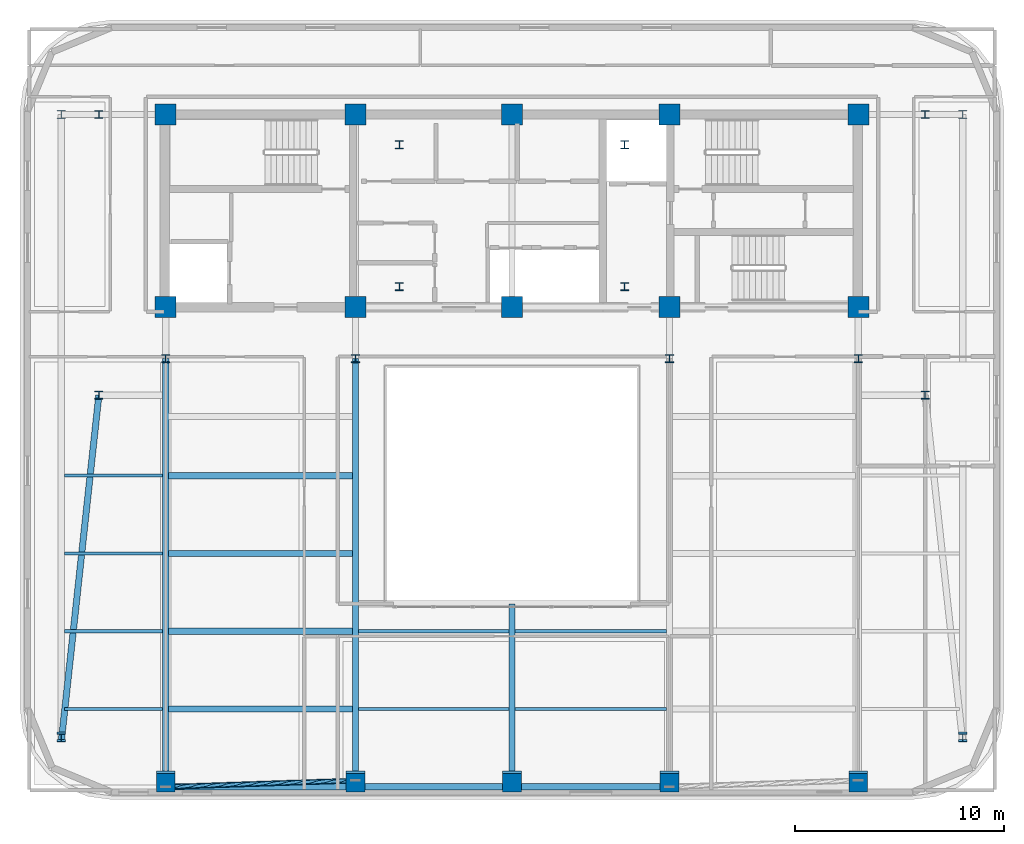
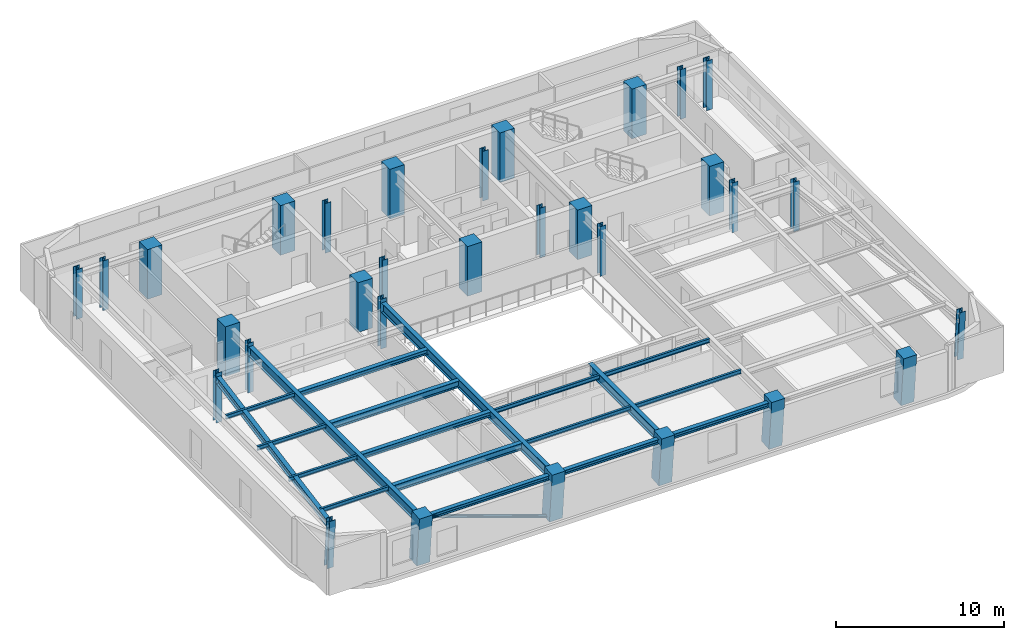
# One storey, part 1 of 13: 31 columns, 19 beams, 1 member.
"""IFC4 building model written with IfcOpenShell, lengths in metres."""

from ifc_helpers import new_model, si_unit, direction, frame, origin, origin_2d, place, context, subcontext, project, spatial, rectangle, hollow_circle, i_section, extrude, material, material_profile, profile_set, type_object, element, save


model = new_model("IFC4")

# Units and contexts
model_context = context("Model", 3, precision=1e-05, world=origin(), true_north=direction((0.0, 1.0)))
body_context = subcontext(model_context, "Body", "Model", "MODEL_VIEW")
ifc_project = project(units=[si_unit("LENGTHUNIT", "METRE"), si_unit("AREAUNIT", "SQUARE_METRE"), si_unit("VOLUMEUNIT", "CUBIC_METRE"), si_unit("PLANEANGLEUNIT", "RADIAN"), si_unit("MASSUNIT", "GRAM", prefix="KILO")], contexts=[model_context])

# Site, building, storey
site_placement = place(None, origin())
site = spatial("IfcSite", under=ifc_project, at=site_placement, CompositionType="ELEMENT")
building_placement = place(site_placement, origin())
building = spatial("IfcBuilding", under=site, at=building_placement, Name="Zarnavel Station Tower", CompositionType="ELEMENT")
storey_placement = place(building_placement, frame((0.0, 0.0, 232.800048828125)))
storey = spatial("IfcBuildingStorey", under=building, at=storey_placement, Name="L63", CompositionType="ELEMENT", Elevation=232.800048828125)

# Columns
ifc_material_1 = material(Name="Steel S355J2", Category="steel")
ifc_material_profile_1 = material_profile(ifc_material_1, i_section(OverallWidth=0.407958984375, OverallDepth=0.39990234375, WebThickness=0.02490234375, FlangeThickness=0.0390625, FilletRadius=0.014892578125, at=origin_2d()), Name="HD400x287")
ifc_profile_set_1 = profile_set([ifc_material_profile_1], Name="Steel S355J2")
column_type_1 = type_object("IfcColumnType", Name="EC_HD287", PredefinedType="COLUMN", material=ifc_profile_set_1)
column_1_placement = place(storey_placement, frame((7.199951171875, 7.265625, 0.0), z_axis=(0.0, -0.079906436036, 0.996802368316), x_axis=(1.0, 0.0, 0.0)))
element("IfcColumn", 1, at=column_1_placement, inside=storey, type_object=column_type_1, Name="L63 Raked Wing Column 1", PredefinedType="COLUMN", context=body_context, shape_type="SweptSolid", body=[
    extrude(i_section(OverallWidth=0.407958984375, OverallDepth=0.39990234375, WebThickness=0.02490234375, FlangeThickness=0.0390625, FilletRadius=0.014892578125, at=origin_2d()), origin(), (0.0, 0.0, 1.0), 3.611328125),
])
column_2_placement = place(storey_placement, frame((7.199951171875, 37.050048828125, 0.0), z_axis=(0.0, 0.0, 1.0), x_axis=(1.0, 0.0, 0.0)))
element("IfcColumn", 2, at=column_2_placement, inside=storey, type_object=column_type_1, Name="L63 Outer Wing North Column 1", PredefinedType="COLUMN", context=body_context, shape_type="SweptSolid", body=[
    extrude(i_section(OverallWidth=0.407958984375, OverallDepth=0.39990234375, WebThickness=0.02490234375, FlangeThickness=0.0390625, FilletRadius=0.014892578125, at=origin_2d()), origin(), (0.0, 0.0, 1.0), 3.599853515625),
])
column_3_placement = place(storey_placement, frame((50.39990234375, 7.265625, 0.0), z_axis=(0.0, -0.079906436036, 0.996802368316), x_axis=(1.0, 0.0, 0.0)))
element("IfcColumn", 3, at=column_3_placement, inside=storey, type_object=column_type_1, Name="L63 Raked Wing Column 2", PredefinedType="COLUMN", context=body_context, shape_type="SweptSolid", body=[
    extrude(i_section(OverallWidth=0.407958984375, OverallDepth=0.39990234375, WebThickness=0.02490234375, FlangeThickness=0.0390625, FilletRadius=0.014892578125, at=origin_2d()), origin(), (0.0, 0.0, 1.0), 3.611328125),
])
column_4_placement = place(storey_placement, frame((50.39990234375, 37.050048828125, 0.0), z_axis=(0.0, 0.0, 1.0), x_axis=(1.0, 0.0, 0.0)))
element("IfcColumn", 4, at=column_4_placement, inside=storey, type_object=column_type_1, Name="L63 Outer Wing North Column 2", PredefinedType="COLUMN", context=body_context, shape_type="SweptSolid", body=[
    extrude(i_section(OverallWidth=0.407958984375, OverallDepth=0.39990234375, WebThickness=0.02490234375, FlangeThickness=0.0390625, FilletRadius=0.014892578125, at=origin_2d()), origin(), (0.0, 0.0, 1.0), 3.599853515625),
])
ifc_material_2 = material(Name="Steel S355J2", Category="steel")
ifc_material_profile_2 = material_profile(ifc_material_2, i_section(OverallWidth=0.39501953125, OverallDepth=0.3798828125, WebThickness=0.018798828125, FlangeThickness=0.0302734375, FilletRadius=0.014892578125, at=origin_2d()), Name="HD400x237")
ifc_profile_set_2 = profile_set([ifc_material_profile_2], Name="Steel S355J2")
column_type_2 = type_object("IfcColumnType", Name="IC_HD237", PredefinedType="COLUMN", material=ifc_profile_set_2)
for number, where, z_axis, x_axis, name in (
    (5, (23.39990234375, 28.800048828125, 0.0), (0.0, 0.0, 1.0), (1.0, 0.0, 0.0), "L63 Mast Spine Column 1"),
    (6, (34.199951171875, 28.800048828125, 0.0), (0.0, 0.0, 1.0), (1.0, 0.0, 0.0), "L63 Mast Spine Column 2"),
    (7, (34.199951171875, 35.60009765625, 0.0), (0.0, 0.0, 1.0), (1.0, 0.0, 0.0), "L63 Mast Spine Column 3"),
    (8, (23.39990234375, 35.60009765625, 0.0), (0.0, 0.0, 1.0), (1.0, 0.0, 0.0), "L63 Mast Spine Column 4"),
    (9, (12.199951171875, 25.35009765625, 0.0), (0.0, 0.0, 1.0), (1.0, 0.0, 0.0), "L63 Inner Spine Column 1"),
    (10, (21.300048828125, 25.35009765625, 0.0), (0.0, 0.0, 1.0), (1.0, 0.0, 0.0), "L63 Inner Spine Column 2"),
    (11, (36.35009765625, 25.35009765625, 0.0), (0.0, 0.0, 1.0), (1.0, 0.0, 0.0), "L63 Inner Spine Column 4"),
    (12, (45.39990234375, 25.35009765625, 0.0), (0.0, 0.0, 1.0), (1.0, 0.0, 0.0), "L63 Inner Spine Column 5"),
    (13, (9.0, 23.60009765625, 0.0), (0.0, 0.0, 1.0), (1.0, 0.0, 0.0), "L63 Inner Wing Spine Column 1-1"),
    (14, (9.0, 37.050048828125, 0.0), (0.0, 0.0, 1.0), (1.0, 0.0, 0.0), "L63 Inner Wing Spine Column 1-2"),
    (15, (48.60009765625, 23.60009765625, 0.0), (0.0, 0.0, 1.0), (1.0, 0.0, 0.0), "L63 Inner Wing Spine Column 2-1"),
    (16, (48.60009765625, 37.050048828125, 0.0), (0.0, 0.0, 1.0), (1.0, 0.0, 0.0), "L63 Inner Wing Spine Column 2-2"),
):
    element("IfcColumn", number, at=place(storey_placement, frame(where, z_axis=z_axis, x_axis=x_axis)), inside=storey, type_object=column_type_2, Name=name, PredefinedType="COLUMN", context=body_context, shape_type="SweptSolid", body=[
        extrude(i_section(OverallWidth=0.39501953125, OverallDepth=0.3798828125, WebThickness=0.018798828125, FlangeThickness=0.0302734375, FilletRadius=0.014892578125, at=origin_2d()), origin(), (0.0, 0.0, 1.0), 3.599853515625),
    ])
ifc_material_3 = material(Name="Concrete C50/60", Category="concrete")
ifc_material_profile_3 = material_profile(ifc_material_3, rectangle(XDim=1.0, YDim=1.0, at=origin_2d()), Name="RC1000x1000")
ifc_profile_set_3 = profile_set([ifc_material_profile_3], Name="Concrete C50/60")
column_type_3 = type_object("IfcColumnType", Name="IC_RC1000", PredefinedType="COLUMN", material=ifc_profile_set_3)
for number, where, z_axis, x_axis, name in (
    (17, (12.199951171875, 27.820068359375, 0.0), (0.0, 0.0, 1.0), (1.0, 0.0, 0.0), "L63 Core Spine Column 1-1"),
    (18, (12.199951171875, 37.050048828125, 0.0), (0.0, 0.0, 1.0), (1.0, 0.0, 0.0), "L63 Core Spine Column 1-2"),
    (19, (21.300048828125, 27.820068359375, 0.0), (0.0, 0.0, 1.0), (1.0, 0.0, 0.0), "L63 Core Spine Column 2-1"),
    (20, (21.300048828125, 37.050048828125, 0.0), (0.0, 0.0, 1.0), (1.0, 0.0, 0.0), "L63 Core Spine Column 2-2"),
    (21, (28.800048828125, 27.820068359375, 0.0), (0.0, 0.0, 1.0), (1.0, 0.0, 0.0), "L63 Core Spine Column 3-1"),
    (22, (28.800048828125, 37.050048828125, 0.0), (0.0, 0.0, 1.0), (1.0, 0.0, 0.0), "L63 Core Spine Column 3-2"),
    (23, (36.35009765625, 27.820068359375, 0.0), (0.0, 0.0, 1.0), (1.0, 0.0, 0.0), "L63 Core Spine Column 4-1"),
    (24, (36.35009765625, 37.050048828125, 0.0), (0.0, 0.0, 1.0), (1.0, 0.0, 0.0), "L63 Core Spine Column 4-2"),
    (25, (45.39990234375, 27.820068359375, 0.0), (0.0, 0.0, 1.0), (1.0, 0.0, 0.0), "L63 Core Spine Column 5-1"),
    (26, (45.39990234375, 37.050048828125, 0.0), (0.0, 0.0, 1.0), (1.0, 0.0, 0.0), "L63 Core Spine Column 5-2"),
):
    element("IfcColumn", number, at=place(storey_placement, frame(where, z_axis=z_axis, x_axis=x_axis)), inside=storey, type_object=column_type_3, Name=name, PredefinedType="COLUMN", context=body_context, shape_type="SweptSolid", body=[
        extrude(rectangle(XDim=1.0, YDim=1.0, at=origin_2d()), origin(), (0.0, 0.0, 1.0), 3.599853515625),
    ])
ifc_material_4 = material(Name="Concrete C50/60", Category="concrete")
ifc_material_profile_4 = material_profile(ifc_material_4, rectangle(XDim=0.89990234375, YDim=0.89990234375, at=origin_2d()), Name="RC900x900")
ifc_profile_set_4 = profile_set([ifc_material_profile_4], Name="Concrete C50/60")
column_type_4 = type_object("IfcColumnType", Name="MC_RC900", PredefinedType="COLUMN", material=ifc_profile_set_4)
for number, where, z_axis, x_axis, name in (
    (27, (12.199951171875, 5.131591796875, 0.0), (0.0, -0.090237335163, 0.995920289653), (1.0, 0.0, 0.0), "L63 Raked South Mega-Column 1"),
    (28, (21.300048828125, 5.131591796875, 0.0), (0.0, -0.090237335163, 0.995920289653), (1.0, 0.0, 0.0), "L63 Raked South Mega-Column 2"),
    (29, (28.800048828125, 5.131591796875, 0.0), (0.0, -0.090237335163, 0.995920289653), (1.0, 0.0, 0.0), "L63 Raked South Mega-Column 3"),
    (30, (36.35009765625, 5.131591796875, 0.0), (0.0, -0.090237335163, 0.995920289653), (1.0, 0.0, 0.0), "L63 Raked South Mega-Column 4"),
    (31, (45.39990234375, 5.131591796875, 0.0), (0.0, -0.090237335163, 0.995920289653), (1.0, 0.0, 0.0), "L63 Raked South Mega-Column 5"),
):
    element("IfcColumn", number, at=place(storey_placement, frame(where, z_axis=z_axis, x_axis=x_axis)), inside=storey, type_object=column_type_4, Name=name, PredefinedType="COLUMN", context=body_context, shape_type="SweptSolid", body=[
        extrude(rectangle(XDim=0.89990234375, YDim=0.89990234375, at=origin_2d()), origin(), (0.0, 0.0, 1.0), 3.614501953125),
    ])

# Member
ifc_material_5 = material(Name="Steel S355J2", Category="steel")
ifc_material_profile_5 = material_profile(ifc_material_5, hollow_circle(Radius=0.122314453125, WallThickness=0.010009765625, at=origin_2d()), Name="CHS244.5x10")
ifc_profile_set_5 = profile_set([ifc_material_profile_5], Name="Steel S355J2")
member_type = type_object("IfcMemberType", Name="DB_EXT_CHS245", PredefinedType="BRACE", material=ifc_profile_set_5)
member_placement = place(storey_placement, frame((21.300048828125, 5.131591796875, 0.0), z_axis=(-0.93831479952, -0.031189892059, 0.344372658084), x_axis=(0.033221979641, -0.999447997681, 0.0)))
element("IfcMember", 32, at=member_placement, inside=storey, type_object=member_type, Name="L63 Persian Exterior Diagonal Frame Brace 1", PredefinedType="BRACE", context=body_context, shape_type="SweptSolid", body=[
    extrude(hollow_circle(Radius=0.122314453125, WallThickness=0.010009765625, at=origin_2d()), origin(), (0.0, 0.0, 1.0), 9.6982421875),
])

# Beams
ifc_material_6 = material(Name="Steel S355J2", Category="steel")
ifc_material_profile_6 = material_profile(ifc_material_6, i_section(OverallWidth=0.300048828125, OverallDepth=0.320068359375, WebThickness=0.011474609375, FlangeThickness=0.0205078125, FilletRadius=0.027099609375, at=origin_2d()), Name="HEB320")
ifc_profile_set_6 = profile_set([ifc_material_profile_6], Name="Steel S355J2")
beam_type_1 = type_object("IfcBeamType", Name="EB_HEB320", PredefinedType="SPANDREL", material=ifc_profile_set_6)
beam_1_placement = place(storey_placement, frame((12.199951171875, 4.8291015625, 3.179931640625), z_axis=(1.0, 0.0, 0.0), x_axis=(0.0, 1.0, 0.0)))
element("IfcBeam", 33, at=beam_1_placement, inside=storey, type_object=beam_type_1, Name="L63 South Raked Spandrel 1", PredefinedType="SPANDREL", context=body_context, shape_type="SweptSolid", body=[
    extrude(i_section(OverallWidth=0.300048828125, OverallDepth=0.320068359375, WebThickness=0.011474609375, FlangeThickness=0.0205078125, FilletRadius=0.027099609375, at=origin_2d()), origin(), (0.0, 0.0, 1.0), 9.10009765625),
])
beam_2_placement = place(storey_placement, frame((21.300048828125, 4.8291015625, 3.179931640625), z_axis=(1.0, 0.0, 0.0), x_axis=(0.0, 1.0, 0.0)))
element("IfcBeam", 34, at=beam_2_placement, inside=storey, type_object=beam_type_1, Name="L63 South Raked Spandrel 2", PredefinedType="SPANDREL", context=body_context, shape_type="SweptSolid", body=[
    extrude(i_section(OverallWidth=0.300048828125, OverallDepth=0.320068359375, WebThickness=0.011474609375, FlangeThickness=0.0205078125, FilletRadius=0.027099609375, at=origin_2d()), origin(), (0.0, 0.0, 1.0), 7.5),
])
beam_3_placement = place(storey_placement, frame((28.800048828125, 4.8291015625, 3.179931640625), z_axis=(1.0, 0.0, 0.0), x_axis=(0.0, 1.0, 0.0)))
element("IfcBeam", 35, at=beam_3_placement, inside=storey, type_object=beam_type_1, Name="L63 South Raked Spandrel 3", PredefinedType="SPANDREL", context=body_context, shape_type="SweptSolid", body=[
    extrude(i_section(OverallWidth=0.300048828125, OverallDepth=0.320068359375, WebThickness=0.011474609375, FlangeThickness=0.0205078125, FilletRadius=0.027099609375, at=origin_2d()), origin(), (0.0, 0.0, 1.0), 7.550048828125),
])
ifc_material_7 = material(Name="Steel S355J2", Category="steel")
ifc_material_profile_7 = material_profile(ifc_material_7, i_section(OverallWidth=0.300048828125, OverallDepth=0.35009765625, WebThickness=0.010009765625, FlangeThickness=0.017578125, FilletRadius=0.027099609375, at=origin_2d()), Name="HEA360")
ifc_profile_set_7 = profile_set([ifc_material_profile_7], Name="Steel S355J2")
beam_type_2 = type_object("IfcBeamType", Name="FB_HEA360", PredefinedType="BEAM", material=ifc_profile_set_7)
for number, where, z_axis, x_axis, name in (
    (36, (12.344970703125, 12.285888671875, 3.1650390625), (1.0, 0.0, 0.0), (0.0, 1.0, 0.0), "L63 West Bay Beam 2"),
    (37, (12.344970703125, 19.742919921875, 3.1650390625), (1.0, 0.0, 0.0), (0.0, 1.0, 0.0), "L63 West Bay Beam 4"),
):
    element("IfcBeam", number, at=place(storey_placement, frame(where, z_axis=z_axis, x_axis=x_axis)), inside=storey, type_object=beam_type_2, Name=name, PredefinedType="BEAM", context=body_context, shape_type="SweptSolid", body=[
        extrude(i_section(OverallWidth=0.300048828125, OverallDepth=0.35009765625, WebThickness=0.010009765625, FlangeThickness=0.017578125, FilletRadius=0.027099609375, at=origin_2d()), origin(), (0.0, 0.0, 1.0), 8.81005859375),
    ])
ifc_material_8 = material(Name="Steel S355J2", Category="steel")
ifc_material_profile_8 = material_profile(ifc_material_8, i_section(OverallWidth=0.300048828125, OverallDepth=0.489990234375, WebThickness=0.011962890625, FlangeThickness=0.02294921875, FilletRadius=0.027099609375, at=origin_2d()), Name="HEA500")
ifc_profile_set_8 = profile_set([ifc_material_profile_8], Name="Steel S355J2")
beam_type_3 = type_object("IfcBeamType", Name="FB_HEA500", PredefinedType="BEAM", material=ifc_profile_set_8)
for number, where, z_axis, x_axis, name in (
    (38, (12.344970703125, 8.5576171875, 3.094970703125), (1.0, 0.0, 0.0), (0.0, 1.0, 0.0), "L63 West Bay Beam 1"),
    (39, (12.344970703125, 16.014404296875, 3.094970703125), (1.0, 0.0, 0.0), (0.0, 1.0, 0.0), "L63 West Bay Beam 3"),
):
    element("IfcBeam", number, at=place(storey_placement, frame(where, z_axis=z_axis, x_axis=x_axis)), inside=storey, type_object=beam_type_3, Name=name, PredefinedType="BEAM", context=body_context, shape_type="SweptSolid", body=[
        extrude(i_section(OverallWidth=0.300048828125, OverallDepth=0.489990234375, WebThickness=0.011962890625, FlangeThickness=0.02294921875, FilletRadius=0.027099609375, at=origin_2d()), origin(), (0.0, 0.0, 1.0), 8.81005859375),
    ])
ifc_material_9 = material(Name="Steel S355J2", Category="steel")
ifc_material_profile_9 = material_profile(ifc_material_9, i_section(OverallWidth=0.300048828125, OverallDepth=0.5, WebThickness=0.014404296875, FlangeThickness=0.028076171875, FilletRadius=0.027099609375, at=origin_2d()), Name="HEB500")
ifc_profile_set_9 = profile_set([ifc_material_profile_9], Name="Steel S355J2")
beam_type_4 = type_object("IfcBeamType", Name="FG_HEB500", PredefinedType="USERDEFINED", material=ifc_profile_set_9)
beam_4_placement = place(storey_placement, frame((7.199951171875, 6.997802734375, 3.08984375), z_axis=(0.107789988508, 0.994173686223, 0.0), x_axis=(-0.994173686223, 0.107789988508, 0.0)))
element("IfcBeam", 40, at=beam_4_placement, inside=storey, type_object=beam_type_4, Name="L63 West Wing South Tie 1", ObjectType="GIRDER", PredefinedType="USERDEFINED", context=body_context, shape_type="SweptSolid", body=[
    extrude(i_section(OverallWidth=0.300048828125, OverallDepth=0.5, WebThickness=0.014404296875, FlangeThickness=0.028076171875, FilletRadius=0.027099609375, at=origin_2d()), origin(), (0.0, 0.0, 1.0), 16.69970703125),
])
ifc_material_10 = material(Name="Steel S355J2", Category="steel")
ifc_material_profile_10 = material_profile(ifc_material_10, i_section(OverallWidth=0.300048828125, OverallDepth=0.699951171875, WebThickness=0.01708984375, FlangeThickness=0.031982421875, FilletRadius=0.027099609375, at=origin_2d()), Name="HEB700")
ifc_profile_set_10 = profile_set([ifc_material_profile_10], Name="Steel S355J2")
beam_type_5 = type_object("IfcBeamType", Name="FG_HEB700", PredefinedType="USERDEFINED", material=ifc_profile_set_10)
for number, where, z_axis, x_axis, name in (
    (41, (12.199951171875, 4.8291015625, 2.989990234375), (0.0, 1.0, 0.0), (-1.0, 0.0, 0.0), "L63 South-Zone NS Girder 1"),
    (42, (21.300048828125, 4.8291015625, 2.989990234375), (0.0, 1.0, 0.0), (-1.0, 0.0, 0.0), "L63 South-Zone NS Girder 2"),
):
    element("IfcBeam", number, at=place(storey_placement, frame(where, z_axis=z_axis, x_axis=x_axis)), inside=storey, type_object=beam_type_5, Name=name, ObjectType="GIRDER", PredefinedType="USERDEFINED", context=body_context, shape_type="SweptSolid", body=[
        extrude(i_section(OverallWidth=0.300048828125, OverallDepth=0.699951171875, WebThickness=0.01708984375, FlangeThickness=0.031982421875, FilletRadius=0.027099609375, at=origin_2d()), origin(), (0.0, 0.0, 1.0), 20.52099609375),
    ])
beam_5_placement = place(storey_placement, frame((28.800048828125, 4.8291015625, 2.989990234375), z_axis=(0.0, 1.0, 0.0), x_axis=(-1.0, 0.0, 0.0)))
element("IfcBeam", 43, at=beam_5_placement, inside=storey, type_object=beam_type_5, Name="L63 Central Atrium-South Girder", ObjectType="GIRDER", PredefinedType="USERDEFINED", context=body_context, shape_type="SweptSolid", body=[
    extrude(i_section(OverallWidth=0.300048828125, OverallDepth=0.699951171875, WebThickness=0.01708984375, FlangeThickness=0.031982421875, FilletRadius=0.027099609375, at=origin_2d()), origin(), (0.0, 0.0, 1.0), 8.77099609375),
])
ifc_material_11 = material(Name="Steel S355J2", Category="steel")
ifc_material_profile_11 = material_profile(ifc_material_11, i_section(OverallWidth=0.14990234375, OverallDepth=0.300048828125, WebThickness=0.007080078125, FlangeThickness=0.0107421875, FilletRadius=0.014892578125, at=origin_2d()), Name="IPE300")
ifc_profile_set_11 = profile_set([ifc_material_profile_11], Name="Steel S355J2")
beam_type_6 = type_object("IfcBeamType", Name="FJ_IPE300", PredefinedType="JOIST", material=ifc_profile_set_11)
beam_6_placement = place(storey_placement, frame((21.445068359375, 8.5576171875, 3.18994140625), z_axis=(1.0, 0.0, 0.0), x_axis=(0.0, 1.0, 0.0)))
element("IfcBeam", 44, at=beam_6_placement, inside=storey, type_object=beam_type_6, Name="L63 Mid-West Joist 1", PredefinedType="JOIST", context=body_context, shape_type="SweptSolid", body=[
    extrude(i_section(OverallWidth=0.14990234375, OverallDepth=0.300048828125, WebThickness=0.007080078125, FlangeThickness=0.0107421875, FilletRadius=0.014892578125, at=origin_2d()), origin(), (0.0, 0.0, 1.0), 7.2099609375),
])
beam_7_placement = place(storey_placement, frame((28.945068359375, 8.5576171875, 3.18994140625), z_axis=(1.0, 0.0, 0.0), x_axis=(0.0, 1.0, 0.0)))
element("IfcBeam", 45, at=beam_7_placement, inside=storey, type_object=beam_type_6, Name="L63 Mid-East Joist 1", PredefinedType="JOIST", context=body_context, shape_type="SweptSolid", body=[
    extrude(i_section(OverallWidth=0.14990234375, OverallDepth=0.300048828125, WebThickness=0.007080078125, FlangeThickness=0.0107421875, FilletRadius=0.014892578125, at=origin_2d()), origin(), (0.0, 0.0, 1.0), 7.260009765625),
])
beam_8_placement = place(storey_placement, frame((7.344970703125, 8.5576171875, 3.18994140625), z_axis=(1.0, 0.0, 0.0), x_axis=(0.0, 1.0, 0.0)))
element("IfcBeam", 46, at=beam_8_placement, inside=storey, type_object=beam_type_6, Name="L63 West Wing Joist 1", PredefinedType="JOIST", context=body_context, shape_type="SweptSolid", body=[
    extrude(i_section(OverallWidth=0.14990234375, OverallDepth=0.300048828125, WebThickness=0.007080078125, FlangeThickness=0.0107421875, FilletRadius=0.014892578125, at=origin_2d()), origin(), (0.0, 0.0, 1.0), 4.7099609375),
])
beam_9_placement = place(storey_placement, frame((21.445068359375, 12.285888671875, 3.18994140625), z_axis=(1.0, 0.0, 0.0), x_axis=(0.0, 1.0, 0.0)))
element("IfcBeam", 47, at=beam_9_placement, inside=storey, type_object=beam_type_6, Name="L63 Mid-West Joist 2", PredefinedType="JOIST", context=body_context, shape_type="SweptSolid", body=[
    extrude(i_section(OverallWidth=0.14990234375, OverallDepth=0.300048828125, WebThickness=0.007080078125, FlangeThickness=0.0107421875, FilletRadius=0.014892578125, at=origin_2d()), origin(), (0.0, 0.0, 1.0), 7.2099609375),
])
beam_10_placement = place(storey_placement, frame((28.945068359375, 12.285888671875, 3.18994140625), z_axis=(1.0, 0.0, 0.0), x_axis=(0.0, 1.0, 0.0)))
element("IfcBeam", 48, at=beam_10_placement, inside=storey, type_object=beam_type_6, Name="L63 Mid-East Joist 2", PredefinedType="JOIST", context=body_context, shape_type="SweptSolid", body=[
    extrude(i_section(OverallWidth=0.14990234375, OverallDepth=0.300048828125, WebThickness=0.007080078125, FlangeThickness=0.0107421875, FilletRadius=0.014892578125, at=origin_2d()), origin(), (0.0, 0.0, 1.0), 7.260009765625),
])
for number, where, z_axis, x_axis, name in (
    (49, (7.344970703125, 12.285888671875, 3.18994140625), (1.0, 0.0, 0.0), (0.0, 1.0, 0.0), "L63 West Wing Joist 2"),
    (50, (7.344970703125, 16.014404296875, 3.18994140625), (1.0, 0.0, 0.0), (0.0, 1.0, 0.0), "L63 West Wing Joist 3"),
    (51, (7.344970703125, 19.742919921875, 3.18994140625), (1.0, 0.0, 0.0), (0.0, 1.0, 0.0), "L63 West Wing Joist 4"),
):
    element("IfcBeam", number, at=place(storey_placement, frame(where, z_axis=z_axis, x_axis=x_axis)), inside=storey, type_object=beam_type_6, Name=name, PredefinedType="JOIST", context=body_context, shape_type="SweptSolid", body=[
        extrude(i_section(OverallWidth=0.14990234375, OverallDepth=0.300048828125, WebThickness=0.007080078125, FlangeThickness=0.0107421875, FilletRadius=0.014892578125, at=origin_2d()), origin(), (0.0, 0.0, 1.0), 4.7099609375),
    ])

save(model, "model.ifc")
